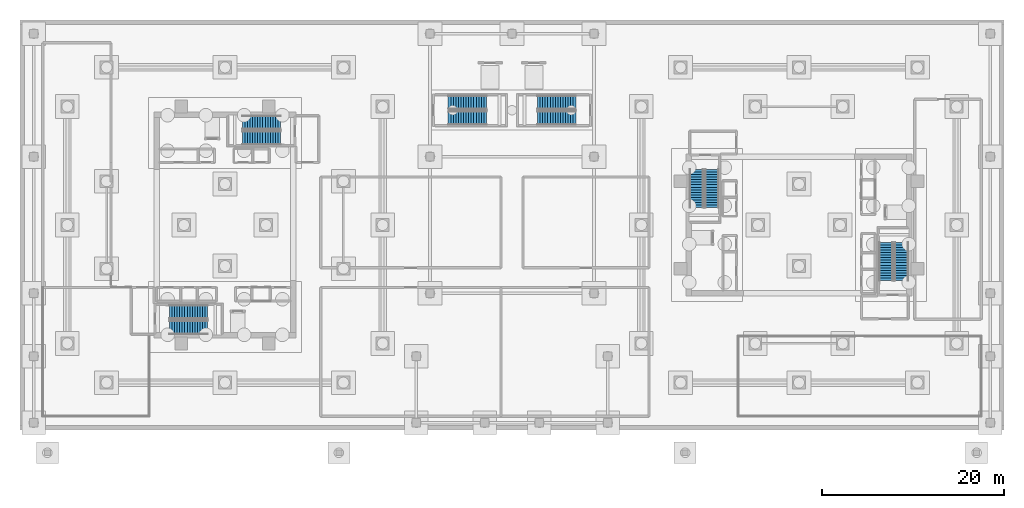
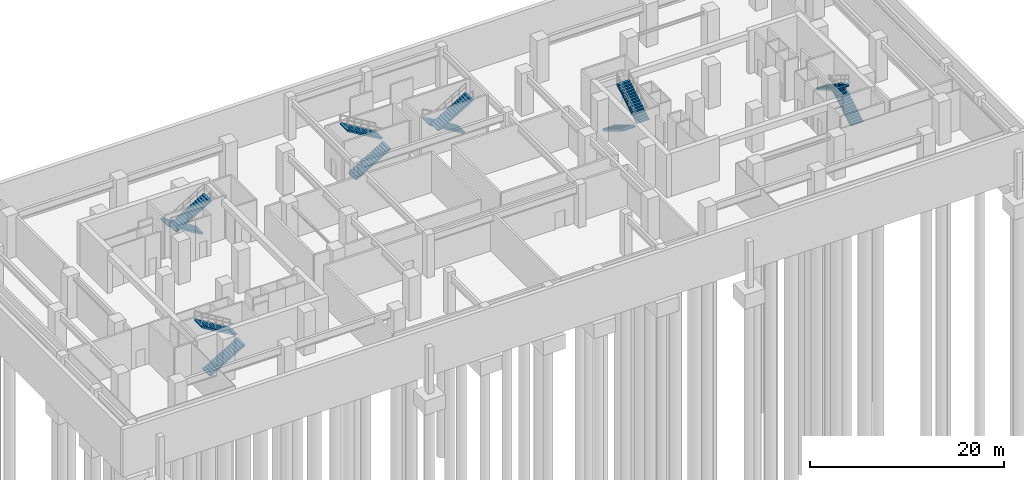
# One storey, part 11 of 14: 12 stair flights, 6 elements without a shape of their own.
"""IFC4 building model written with IfcOpenShell, lengths in metres."""

import ifcopenshell
import ifcopenshell.guid

model = None  # the IFC model being written
_history = None  # IfcOwnerHistory: only IFC2X3 demands one
_inside = {}  # id of a spatial element -> (the spatial element, [elements in it])
_under = {}  # id of a project, library or spatial element -> (it, [spatial elements below it])
_declared = {}  # id of a project -> (the project, [libraries it declares])
_typed = {}  # id of a type object -> (the type object, [elements of that type])
_made_of = {}  # id of a material, layer set ... -> (it, [elements and type objects made of it])


def new_model(schema):
    """Start an empty IFC model of exactly this schema.

    Asked for "IFC4X3", IfcOpenShell would pick the latest addendum, in which some entities
    have other attributes; the version numbers below select the first issue.
    IFC2X3 requires an IfcOwnerHistory on every rooted entity: one is made here for all.
    """
    global model, _history
    if schema == "IFC4X3":
        model = ifcopenshell.file(schema_version=(4, 3, 0, 0))
    else:
        model = ifcopenshell.file(schema=schema)
    _inside.clear()
    _under.clear()
    _declared.clear()
    _typed.clear()
    _made_of.clear()
    _history = None
    if model.schema == "IFC2X3":
        org = make("IfcOrganization", Name="unknown")
        user = make(
            "IfcPersonAndOrganization",
            ThePerson=make("IfcPerson", FamilyName="unknown"),
            TheOrganization=org,
        )
        app = make(
            "IfcApplication",
            ApplicationDeveloper=org,
            Version="unknown",
            ApplicationFullName="unknown",
            ApplicationIdentifier="unknown",
        )
        _history = make(
            "IfcOwnerHistory",
            OwningUser=user,
            OwningApplication=app,
            ChangeAction="ADDED",
            CreationDate=0,
        )
    return model


def make(cls, **values):
    """One entity of the class cls with the attributes given. An attribute that is None is left unset."""
    return model.create_entity(
        cls, **{name: value for name, value in values.items() if value is not None}
    )


def rooted(cls, **values):
    """An entity with a GlobalId (a new one), such as an element, a storey or a relation."""
    return make(cls, GlobalId=ifcopenshell.guid.new(), OwnerHistory=_history, **values)


def si_unit(unit_type, name, prefix=None):
    """IfcSIUnit, for example si_unit("LENGTHUNIT", "METRE", prefix="MILLI")."""
    return make("IfcSIUnit", UnitType=unit_type, Prefix=prefix, Name=name)


def assignment(units):
    """IfcUnitAssignment: the units of a project."""
    return None if units is None else make("IfcUnitAssignment", Units=units)


def point(xyz):
    """IfcCartesianPoint."""
    return None if xyz is None else make("IfcCartesianPoint", Coordinates=xyz)


def direction(xyz):
    """IfcDirection."""
    return None if xyz is None else make("IfcDirection", DirectionRatios=xyz)


def frame(location, z_axis=None, x_axis=None):
    """IfcAxis2Placement3D, a coordinate frame: its origin and axes. An axis left out is left unset."""
    return make(
        "IfcAxis2Placement3D",
        Location=point(location),
        Axis=direction(z_axis),
        RefDirection=direction(x_axis),
    )


def origin():
    """The frame at (0, 0, 0) with its axes left unset."""
    return frame((0.0, 0.0, 0.0))


def place(relative_to, where):
    """IfcLocalPlacement: puts the frame where relative to a parent placement (None: the world)."""
    return make(
        "IfcLocalPlacement", PlacementRelTo=relative_to, RelativePlacement=where
    )


def context(
    kind, dimensions, precision=None, world=None, true_north=None, identifier=None
):
    """IfcGeometricRepresentationContext, for example the 3D "Model" context."""
    return make(
        "IfcGeometricRepresentationContext",
        ContextIdentifier=identifier,
        ContextType=kind,
        CoordinateSpaceDimension=dimensions,
        Precision=precision,
        WorldCoordinateSystem=world,
        TrueNorth=true_north,
    )


def subcontext(parent, identifier, kind, view, scale=None):
    """IfcGeometricRepresentationSubContext, for example "Body" below "Model"."""
    return make(
        "IfcGeometricRepresentationSubContext",
        ContextIdentifier=identifier,
        ContextType=kind,
        ParentContext=parent,
        TargetScale=scale,
        TargetView=view,
    )


def project(units=None, contexts=None):
    """IfcProject with its units and contexts."""
    return rooted(
        "IfcProject",
        Name="project",
        RepresentationContexts=contexts,
        UnitsInContext=assignment(units),
    )


def spatial(cls, under=None, at=None, **own):
    """A site, building, storey or space (cls), placed at a placement, below another one or the project."""
    s = rooted(cls, ObjectPlacement=at, **own)
    if under is not None:
        _under.setdefault(under.id(), (under, []))[1].append(s)
    return s


def polyline(points):
    """IfcPolyline through the points."""
    return make("IfcPolyline", Points=[point(p) for p in points])


def outline(outer, holes=None, kind="AREA"):
    """IfcArbitraryClosedProfileDef: a profile drawn as a closed curve; with holes, ...WithVoids."""
    if holes is None:
        return make("IfcArbitraryClosedProfileDef", ProfileType=kind, OuterCurve=outer)
    return make(
        "IfcArbitraryProfileDefWithVoids",
        ProfileType=kind,
        OuterCurve=outer,
        InnerCurves=holes,
    )


def extrude(swept, where, along, depth):
    """IfcExtrudedAreaSolid: the profile swept, set in the frame where, extruded along a direction by depth."""
    return make(
        "IfcExtrudedAreaSolid",
        SweptArea=swept,
        Position=where,
        ExtrudedDirection=direction(along),
        Depth=depth,
    )


def shape(context_of_items, identifier, shape_type, items):
    """IfcShapeRepresentation: the items that make up one representation, for example the "Body"."""
    return make(
        "IfcShapeRepresentation",
        ContextOfItems=context_of_items,
        RepresentationIdentifier=identifier,
        RepresentationType=shape_type,
        Items=items,
    )


def material(Name=None, Category=None):
    """IfcMaterial."""
    return make("IfcMaterial", Name=Name, Category=Category)


def made_of(thing, what):
    """Note that an element or type object is made of a material, layer set ...; save() writes the relation."""
    if what is not None:
        _made_of.setdefault(what.id(), (what, []))[1].append(thing)
    return thing


def type_object(cls, material=None, **own):
    """A type object (cls), such as IfcWallType, which elements share."""
    return made_of(rooted(cls, **own), material)


def element(
    cls,
    number,
    at=None,
    inside=None,
    cuts=None,
    type_object=None,
    material=None,
    context=None,
    identifier="Body",
    shape_type=None,
    held_by="IfcProductDefinitionShape",
    body=None,
    shapes=None,
    **own,
):
    """One element of the class cls, such as IfcWall. Its Tag is "e" and its number.

    at: its placement. inside: the storey or other place that contains it. cuts: it is an
    opening in that element (IfcRelVoidsElement). A single representation is given by context,
    identifier, shape_type and body (its items); several are given by shapes. held_by: the class
    of the entity that holds the representations. save() writes the other relations.
    """
    e = rooted(cls, Tag="e%d" % number, ObjectPlacement=at, **own)
    if body is not None:
        shapes = [shape(context, identifier, shape_type, body)]
    if shapes is not None:
        e.Representation = make(held_by, Representations=shapes)
    if inside is not None:
        _inside.setdefault(inside.id(), (inside, []))[1].append(e)
    if cuts is not None:
        rooted(
            "IfcRelVoidsElement", RelatingBuildingElement=cuts, RelatedOpeningElement=e
        )
    if type_object is not None:
        _typed.setdefault(type_object.id(), (type_object, []))[1].append(e)
    return made_of(e, material)


def aggregate(whole, parts):
    """IfcRelAggregates: a whole, such as a stair, and the parts it consists of."""
    return rooted("IfcRelAggregates", RelatingObject=whole, RelatedObjects=parts)


def save(model, path):
    """Write the relations noted so far, then the file.

    IfcRelAggregates (storeys below a building ...), IfcRelContainedInSpatialStructure (elements
    in a storey), IfcRelDefinesByType, IfcRelAssociatesMaterial and IfcRelDeclares: one each for
    every whole, place, type object, material and project.
    """
    for whole, parts in _under.values():
        aggregate(whole, parts)
    for where, things in _inside.values():
        rooted(
            "IfcRelContainedInSpatialStructure",
            RelatedElements=things,
            RelatingStructure=where,
        )
    for kind, things in _typed.values():
        rooted("IfcRelDefinesByType", RelatedObjects=things, RelatingType=kind)
    for what, things in _made_of.values():
        rooted("IfcRelAssociatesMaterial", RelatedObjects=things, RelatingMaterial=what)
    for by, libraries in _declared.values():
        rooted("IfcRelDeclares", RelatingContext=by, RelatedDefinitions=libraries)
    model.write(path)


model = new_model("IFC4")

# Units and contexts
model_context = context("Model", 3, precision=1e-05, world=origin(), true_north=direction((0.0, 1.0)))
body_context = subcontext(model_context, "Body", "Model", "MODEL_VIEW")
ifc_project = project(units=[si_unit("LENGTHUNIT", "METRE"), si_unit("AREAUNIT", "SQUARE_METRE"), si_unit("VOLUMEUNIT", "CUBIC_METRE"), si_unit("PLANEANGLEUNIT", "RADIAN"), si_unit("MASSUNIT", "GRAM", prefix="KILO")], contexts=[model_context])

# Site, building, storey
site_placement = place(None, origin())
site = spatial("IfcSite", under=ifc_project, at=site_placement, CompositionType="ELEMENT")
building_placement = place(site_placement, origin())
building = spatial("IfcBuilding", under=site, at=building_placement, Name="Thornwick Lancets Civic Towers", CompositionType="ELEMENT")
storey_placement = place(building_placement, frame((0.0, 0.0, -5.39990234375)))
storey = spatial("IfcBuildingStorey", under=building, at=storey_placement, Name="B01", CompositionType="ELEMENT", Elevation=-5.39990234375)

# Stair, stair flights
ifc_material = material(Name="Concrete C40/50", Category="concrete")
stair_type = type_object("IfcStairType", Name="STAIR_DL_5400", PredefinedType="HALF_TURN_STAIR", material=ifc_material)
stair_1_placement = place(storey_placement, origin())
stair_1 = element("IfcStair", 1, at=stair_1_placement, inside=storey, type_object=stair_type, Name="B01 Tower A South Exit Stair ST-A1", PredefinedType="HALF_TURN_STAIR")
stair_flight_type = type_object("IfcStairFlightType", Name="FLIGHT_5400", PredefinedType="STRAIGHT", material=ifc_material)
stair_flight_1_placement = place(storey_placement, frame((19.39990234375, 15.75, 0.0), z_axis=(0.0, 0.0, 1.0), x_axis=(1.0, 0.0, 0.0)))
stair_flight_1 = element("IfcStairFlight", 2, at=stair_flight_1_placement, type_object=stair_flight_type, Name="ST-A1 flight 1", NumberOfRisers=16, NumberOfTreads=15, PredefinedType="STRAIGHT", RiserHeight=0.16875, TreadLength=0.28, context=body_context, shape_type="SweptSolid", body=[
    extrude(outline(polyline([(0.0, 0.0), (0.0, 0.168701171875), (0.280029296875, 0.168701171875), (0.280029296875, 0.33740234375), (0.56005859375, 0.33740234375), (0.56005859375, 0.50634765625), (0.840087890625, 0.50634765625), (0.840087890625, 0.675048828125), (1.1201171875, 0.675048828125), (1.1201171875, 0.84375), (1.39990234375, 0.84375), (1.39990234375, 1.012451171875), (1.679931640625, 1.012451171875), (1.679931640625, 1.18115234375), (1.9599609375, 1.18115234375), (1.9599609375, 1.35009765625), (2.239990234375, 1.35009765625), (2.239990234375, 1.518798828125), (2.52001953125, 1.518798828125), (2.52001953125, 1.6875), (2.800048828125, 1.6875), (2.800048828125, 1.856201171875), (3.080078125, 1.856201171875), (3.080078125, 2.02490234375), (3.360107421875, 2.02490234375), (3.360107421875, 2.19384765625), (3.639892578125, 2.19384765625), (3.639892578125, 2.362548828125), (3.919921875, 2.362548828125), (3.919921875, 2.53125), (4.199951171875, 2.53125), (4.199951171875, 2.699951171875), (4.199951171875, 2.356201171875), (0.29052734375, 0.0), (0.0, 0.0)])), frame((0.0, 0.75, 0.0), z_axis=(0.0, -1.0, 0.0), x_axis=(1.0, 0.0, 0.0)), (0.0, 0.0, 1.0), 1.5),
])
stair_flight_2_placement = place(storey_placement, frame((23.60009765625, 17.449951171875, 2.699951171875), z_axis=(0.0, 0.0, 1.0), x_axis=(-1.0, 0.0, 0.0)))
stair_flight_2 = element("IfcStairFlight", 3, at=stair_flight_2_placement, type_object=stair_flight_type, Name="ST-A1 flight 2", NumberOfRisers=16, NumberOfTreads=15, PredefinedType="STRAIGHT", RiserHeight=0.16875, TreadLength=0.28, context=body_context, shape_type="SweptSolid", body=[
    extrude(outline(polyline([(0.0, 0.0), (0.0, 0.168701171875), (0.280029296875, 0.168701171875), (0.280029296875, 0.33740234375), (0.56005859375, 0.33740234375), (0.56005859375, 0.50634765625), (0.840087890625, 0.50634765625), (0.840087890625, 0.675048828125), (1.1201171875, 0.675048828125), (1.1201171875, 0.84375), (1.39990234375, 0.84375), (1.39990234375, 1.012451171875), (1.679931640625, 1.012451171875), (1.679931640625, 1.18115234375), (1.9599609375, 1.18115234375), (1.9599609375, 1.35009765625), (2.239990234375, 1.35009765625), (2.239990234375, 1.518798828125), (2.52001953125, 1.518798828125), (2.52001953125, 1.6875), (2.800048828125, 1.6875), (2.800048828125, 1.856201171875), (3.080078125, 1.856201171875), (3.080078125, 2.02490234375), (3.360107421875, 2.02490234375), (3.360107421875, 2.19384765625), (3.639892578125, 2.19384765625), (3.639892578125, 2.362548828125), (3.919921875, 2.362548828125), (3.919921875, 2.53125), (4.199951171875, 2.53125), (4.199951171875, 2.699951171875), (4.199951171875, 2.356201171875), (0.29052734375, 0.0), (0.0, 0.0)])), frame((0.0, 0.75, 0.0), z_axis=(0.0, -1.0, 0.0), x_axis=(1.0, 0.0, 0.0)), (0.0, 0.0, 1.0), 1.5),
])
aggregate(stair_1, [stair_flight_1, stair_flight_2])

stair_2_placement = place(storey_placement, origin())
stair_2 = element("IfcStair", 4, at=stair_2_placement, inside=storey, type_object=stair_type, Name="B01 Tower A North Exit Stair ST-A2", PredefinedType="HALF_TURN_STAIR")
stair_flight_3_placement = place(storey_placement, frame((31.60009765625, 38.25, 0.0), z_axis=(0.0, 0.0, 1.0), x_axis=(-1.0, 0.0, 0.0)))
stair_flight_3 = element("IfcStairFlight", 5, at=stair_flight_3_placement, type_object=stair_flight_type, Name="ST-A2 flight 1", NumberOfRisers=16, NumberOfTreads=15, PredefinedType="STRAIGHT", RiserHeight=0.16875, TreadLength=0.28, context=body_context, shape_type="SweptSolid", body=[
    extrude(outline(polyline([(0.0, 0.0), (0.0, 0.168701171875), (0.280029296875, 0.168701171875), (0.280029296875, 0.33740234375), (0.56005859375, 0.33740234375), (0.56005859375, 0.50634765625), (0.840087890625, 0.50634765625), (0.840087890625, 0.675048828125), (1.1201171875, 0.675048828125), (1.1201171875, 0.84375), (1.39990234375, 0.84375), (1.39990234375, 1.012451171875), (1.679931640625, 1.012451171875), (1.679931640625, 1.18115234375), (1.9599609375, 1.18115234375), (1.9599609375, 1.35009765625), (2.239990234375, 1.35009765625), (2.239990234375, 1.518798828125), (2.52001953125, 1.518798828125), (2.52001953125, 1.6875), (2.800048828125, 1.6875), (2.800048828125, 1.856201171875), (3.080078125, 1.856201171875), (3.080078125, 2.02490234375), (3.360107421875, 2.02490234375), (3.360107421875, 2.19384765625), (3.639892578125, 2.19384765625), (3.639892578125, 2.362548828125), (3.919921875, 2.362548828125), (3.919921875, 2.53125), (4.199951171875, 2.53125), (4.199951171875, 2.699951171875), (4.199951171875, 2.356201171875), (0.29052734375, 0.0), (0.0, 0.0)])), frame((0.0, 0.75, 0.0), z_axis=(0.0, -1.0, 0.0), x_axis=(1.0, 0.0, 0.0)), (0.0, 0.0, 1.0), 1.5),
])
stair_flight_4_placement = place(storey_placement, frame((27.39990234375, 36.550048828125, 2.699951171875), z_axis=(0.0, 0.0, 1.0), x_axis=(1.0, 0.0, 0.0)))
stair_flight_4 = element("IfcStairFlight", 6, at=stair_flight_4_placement, type_object=stair_flight_type, Name="ST-A2 flight 2", NumberOfRisers=16, NumberOfTreads=15, PredefinedType="STRAIGHT", RiserHeight=0.16875, TreadLength=0.28, context=body_context, shape_type="SweptSolid", body=[
    extrude(outline(polyline([(0.0, 0.0), (0.0, 0.168701171875), (0.280029296875, 0.168701171875), (0.280029296875, 0.33740234375), (0.56005859375, 0.33740234375), (0.56005859375, 0.50634765625), (0.840087890625, 0.50634765625), (0.840087890625, 0.675048828125), (1.1201171875, 0.675048828125), (1.1201171875, 0.84375), (1.39990234375, 0.84375), (1.39990234375, 1.012451171875), (1.679931640625, 1.012451171875), (1.679931640625, 1.18115234375), (1.9599609375, 1.18115234375), (1.9599609375, 1.35009765625), (2.239990234375, 1.35009765625), (2.239990234375, 1.518798828125), (2.52001953125, 1.518798828125), (2.52001953125, 1.6875), (2.800048828125, 1.6875), (2.800048828125, 1.856201171875), (3.080078125, 1.856201171875), (3.080078125, 2.02490234375), (3.360107421875, 2.02490234375), (3.360107421875, 2.19384765625), (3.639892578125, 2.19384765625), (3.639892578125, 2.362548828125), (3.919921875, 2.362548828125), (3.919921875, 2.53125), (4.199951171875, 2.53125), (4.199951171875, 2.699951171875), (4.199951171875, 2.356201171875), (0.29052734375, 0.0), (0.0, 0.0)])), frame((0.0, 0.75, 0.0), z_axis=(0.0, -1.0, 0.0), x_axis=(1.0, 0.0, 0.0)), (0.0, 0.0, 1.0), 1.5),
])
aggregate(stair_2, [stair_flight_3, stair_flight_4])

stair_3_placement = place(storey_placement, origin())
stair_3 = element("IfcStair", 7, at=stair_3_placement, inside=storey, type_object=stair_type, Name="B01 Tower B East Exit Stair ST-B1", PredefinedType="HALF_TURN_STAIR")
stair_flight_5_placement = place(storey_placement, frame((99.75, 20.89990234375, 0.0), z_axis=(0.0, 0.0, 1.0), x_axis=(0.0, 1.0, 0.0)))
stair_flight_5 = element("IfcStairFlight", 8, at=stair_flight_5_placement, type_object=stair_flight_type, Name="ST-B1 flight 1", NumberOfRisers=16, NumberOfTreads=15, PredefinedType="STRAIGHT", RiserHeight=0.16875, TreadLength=0.28, context=body_context, shape_type="SweptSolid", body=[
    extrude(outline(polyline([(0.0, 0.0), (0.0, 0.168701171875), (0.280029296875, 0.168701171875), (0.280029296875, 0.33740234375), (0.56005859375, 0.33740234375), (0.56005859375, 0.50634765625), (0.840087890625, 0.50634765625), (0.840087890625, 0.675048828125), (1.1201171875, 0.675048828125), (1.1201171875, 0.84375), (1.39990234375, 0.84375), (1.39990234375, 1.012451171875), (1.679931640625, 1.012451171875), (1.679931640625, 1.18115234375), (1.9599609375, 1.18115234375), (1.9599609375, 1.35009765625), (2.239990234375, 1.35009765625), (2.239990234375, 1.518798828125), (2.52001953125, 1.518798828125), (2.52001953125, 1.6875), (2.800048828125, 1.6875), (2.800048828125, 1.856201171875), (3.080078125, 1.856201171875), (3.080078125, 2.02490234375), (3.360107421875, 2.02490234375), (3.360107421875, 2.19384765625), (3.639892578125, 2.19384765625), (3.639892578125, 2.362548828125), (3.919921875, 2.362548828125), (3.919921875, 2.53125), (4.199951171875, 2.53125), (4.199951171875, 2.699951171875), (4.199951171875, 2.356201171875), (0.29052734375, 0.0), (0.0, 0.0)])), frame((0.0, 0.75, 0.0), z_axis=(0.0, -1.0, 0.0), x_axis=(1.0, 0.0, 0.0)), (0.0, 0.0, 1.0), 1.5),
])
stair_flight_6_placement = place(storey_placement, frame((98.050048828125, 25.10009765625, 2.699951171875), z_axis=(0.0, 0.0, 1.0), x_axis=(0.0, -1.0, 0.0)))
stair_flight_6 = element("IfcStairFlight", 9, at=stair_flight_6_placement, type_object=stair_flight_type, Name="ST-B1 flight 2", NumberOfRisers=16, NumberOfTreads=15, PredefinedType="STRAIGHT", RiserHeight=0.16875, TreadLength=0.28, context=body_context, shape_type="SweptSolid", body=[
    extrude(outline(polyline([(0.0, 0.0), (0.0, 0.168701171875), (0.280029296875, 0.168701171875), (0.280029296875, 0.33740234375), (0.56005859375, 0.33740234375), (0.56005859375, 0.50634765625), (0.840087890625, 0.50634765625), (0.840087890625, 0.675048828125), (1.1201171875, 0.675048828125), (1.1201171875, 0.84375), (1.39990234375, 0.84375), (1.39990234375, 1.012451171875), (1.679931640625, 1.012451171875), (1.679931640625, 1.18115234375), (1.9599609375, 1.18115234375), (1.9599609375, 1.35009765625), (2.239990234375, 1.35009765625), (2.239990234375, 1.518798828125), (2.52001953125, 1.518798828125), (2.52001953125, 1.6875), (2.800048828125, 1.6875), (2.800048828125, 1.856201171875), (3.080078125, 1.856201171875), (3.080078125, 2.02490234375), (3.360107421875, 2.02490234375), (3.360107421875, 2.19384765625), (3.639892578125, 2.19384765625), (3.639892578125, 2.362548828125), (3.919921875, 2.362548828125), (3.919921875, 2.53125), (4.199951171875, 2.53125), (4.199951171875, 2.699951171875), (4.199951171875, 2.356201171875), (0.29052734375, 0.0), (0.0, 0.0)])), frame((0.0, 0.75, 0.0), z_axis=(0.0, -1.0, 0.0), x_axis=(1.0, 0.0, 0.0)), (0.0, 0.0, 1.0), 1.5),
])
aggregate(stair_3, [stair_flight_5, stair_flight_6])

stair_4_placement = place(storey_placement, origin())
stair_4 = element("IfcStair", 10, at=stair_4_placement, inside=storey, type_object=stair_type, Name="B01 Tower B West Exit Stair ST-B2", PredefinedType="HALF_TURN_STAIR")
stair_flight_7_placement = place(storey_placement, frame((77.25, 33.10009765625, 0.0), z_axis=(0.0, 0.0, 1.0), x_axis=(0.0, -1.0, 0.0)))
stair_flight_7 = element("IfcStairFlight", 11, at=stair_flight_7_placement, type_object=stair_flight_type, Name="ST-B2 flight 1", NumberOfRisers=16, NumberOfTreads=15, PredefinedType="STRAIGHT", RiserHeight=0.16875, TreadLength=0.28, context=body_context, shape_type="SweptSolid", body=[
    extrude(outline(polyline([(0.0, 0.0), (0.0, 0.168701171875), (0.280029296875, 0.168701171875), (0.280029296875, 0.33740234375), (0.56005859375, 0.33740234375), (0.56005859375, 0.50634765625), (0.840087890625, 0.50634765625), (0.840087890625, 0.675048828125), (1.1201171875, 0.675048828125), (1.1201171875, 0.84375), (1.39990234375, 0.84375), (1.39990234375, 1.012451171875), (1.679931640625, 1.012451171875), (1.679931640625, 1.18115234375), (1.9599609375, 1.18115234375), (1.9599609375, 1.35009765625), (2.239990234375, 1.35009765625), (2.239990234375, 1.518798828125), (2.52001953125, 1.518798828125), (2.52001953125, 1.6875), (2.800048828125, 1.6875), (2.800048828125, 1.856201171875), (3.080078125, 1.856201171875), (3.080078125, 2.02490234375), (3.360107421875, 2.02490234375), (3.360107421875, 2.19384765625), (3.639892578125, 2.19384765625), (3.639892578125, 2.362548828125), (3.919921875, 2.362548828125), (3.919921875, 2.53125), (4.199951171875, 2.53125), (4.199951171875, 2.699951171875), (4.199951171875, 2.356201171875), (0.29052734375, 0.0), (0.0, 0.0)])), frame((0.0, 0.75, 0.0), z_axis=(0.0, -1.0, 0.0), x_axis=(1.0, 0.0, 0.0)), (0.0, 0.0, 1.0), 1.5),
])
stair_flight_8_placement = place(storey_placement, frame((78.949951171875, 28.89990234375, 2.699951171875), z_axis=(0.0, 0.0, 1.0), x_axis=(0.0, 1.0, 0.0)))
stair_flight_8 = element("IfcStairFlight", 12, at=stair_flight_8_placement, type_object=stair_flight_type, Name="ST-B2 flight 2", NumberOfRisers=16, NumberOfTreads=15, PredefinedType="STRAIGHT", RiserHeight=0.16875, TreadLength=0.28, context=body_context, shape_type="SweptSolid", body=[
    extrude(outline(polyline([(0.0, 0.0), (0.0, 0.168701171875), (0.280029296875, 0.168701171875), (0.280029296875, 0.33740234375), (0.56005859375, 0.33740234375), (0.56005859375, 0.50634765625), (0.840087890625, 0.50634765625), (0.840087890625, 0.675048828125), (1.1201171875, 0.675048828125), (1.1201171875, 0.84375), (1.39990234375, 0.84375), (1.39990234375, 1.012451171875), (1.679931640625, 1.012451171875), (1.679931640625, 1.18115234375), (1.9599609375, 1.18115234375), (1.9599609375, 1.35009765625), (2.239990234375, 1.35009765625), (2.239990234375, 1.518798828125), (2.52001953125, 1.518798828125), (2.52001953125, 1.6875), (2.800048828125, 1.6875), (2.800048828125, 1.856201171875), (3.080078125, 1.856201171875), (3.080078125, 2.02490234375), (3.360107421875, 2.02490234375), (3.360107421875, 2.19384765625), (3.639892578125, 2.19384765625), (3.639892578125, 2.362548828125), (3.919921875, 2.362548828125), (3.919921875, 2.53125), (4.199951171875, 2.53125), (4.199951171875, 2.699951171875), (4.199951171875, 2.356201171875), (0.29052734375, 0.0), (0.0, 0.0)])), frame((0.0, 0.75, 0.0), z_axis=(0.0, -1.0, 0.0), x_axis=(1.0, 0.0, 0.0)), (0.0, 0.0, 1.0), 1.5),
])
aggregate(stair_4, [stair_flight_7, stair_flight_8])

stair_5_placement = place(storey_placement, origin())
stair_5 = element("IfcStair", 13, at=stair_5_placement, inside=storey, type_object=stair_type, Name="B01 Podium Central West Exit Stair ST-P5", PredefinedType="HALF_TURN_STAIR")
stair_flight_9_placement = place(storey_placement, frame((50.0, 38.75, 0.0), z_axis=(0.0, 0.0, 1.0), x_axis=(1.0, 0.0, 0.0)))
stair_flight_9 = element("IfcStairFlight", 14, at=stair_flight_9_placement, type_object=stair_flight_type, Name="ST-P5 flight 1", NumberOfRisers=16, NumberOfTreads=15, PredefinedType="STRAIGHT", RiserHeight=0.16875, TreadLength=0.28, context=body_context, shape_type="SweptSolid", body=[
    extrude(outline(polyline([(0.0, 0.0), (0.0, 0.168701171875), (0.280029296875, 0.168701171875), (0.280029296875, 0.33740234375), (0.56005859375, 0.33740234375), (0.56005859375, 0.50634765625), (0.840087890625, 0.50634765625), (0.840087890625, 0.675048828125), (1.1201171875, 0.675048828125), (1.1201171875, 0.84375), (1.39990234375, 0.84375), (1.39990234375, 1.012451171875), (1.679931640625, 1.012451171875), (1.679931640625, 1.18115234375), (1.9599609375, 1.18115234375), (1.9599609375, 1.35009765625), (2.239990234375, 1.35009765625), (2.239990234375, 1.518798828125), (2.52001953125, 1.518798828125), (2.52001953125, 1.6875), (2.800048828125, 1.6875), (2.800048828125, 1.856201171875), (3.080078125, 1.856201171875), (3.080078125, 2.02490234375), (3.360107421875, 2.02490234375), (3.360107421875, 2.19384765625), (3.639892578125, 2.19384765625), (3.639892578125, 2.362548828125), (3.919921875, 2.362548828125), (3.919921875, 2.53125), (4.199951171875, 2.53125), (4.199951171875, 2.699951171875), (4.199951171875, 2.356201171875), (0.29052734375, 0.0), (0.0, 0.0)])), frame((0.0, 0.75, 0.0), z_axis=(0.0, -1.0, 0.0), x_axis=(1.0, 0.0, 0.0)), (0.0, 0.0, 1.0), 1.5),
])
stair_flight_10_placement = place(storey_placement, frame((54.199951171875, 40.449951171875, 2.699951171875), z_axis=(0.0, 0.0, 1.0), x_axis=(-1.0, 0.0, 0.0)))
stair_flight_10 = element("IfcStairFlight", 15, at=stair_flight_10_placement, type_object=stair_flight_type, Name="ST-P5 flight 2", NumberOfRisers=16, NumberOfTreads=15, PredefinedType="STRAIGHT", RiserHeight=0.16875, TreadLength=0.28, context=body_context, shape_type="SweptSolid", body=[
    extrude(outline(polyline([(0.0, 0.0), (0.0, 0.168701171875), (0.280029296875, 0.168701171875), (0.280029296875, 0.33740234375), (0.56005859375, 0.33740234375), (0.56005859375, 0.50634765625), (0.840087890625, 0.50634765625), (0.840087890625, 0.675048828125), (1.1201171875, 0.675048828125), (1.1201171875, 0.84375), (1.39990234375, 0.84375), (1.39990234375, 1.012451171875), (1.679931640625, 1.012451171875), (1.679931640625, 1.18115234375), (1.9599609375, 1.18115234375), (1.9599609375, 1.35009765625), (2.239990234375, 1.35009765625), (2.239990234375, 1.518798828125), (2.52001953125, 1.518798828125), (2.52001953125, 1.6875), (2.800048828125, 1.6875), (2.800048828125, 1.856201171875), (3.080078125, 1.856201171875), (3.080078125, 2.02490234375), (3.360107421875, 2.02490234375), (3.360107421875, 2.19384765625), (3.639892578125, 2.19384765625), (3.639892578125, 2.362548828125), (3.919921875, 2.362548828125), (3.919921875, 2.53125), (4.199951171875, 2.53125), (4.199951171875, 2.699951171875), (4.199951171875, 2.356201171875), (0.29052734375, 0.0), (0.0, 0.0)])), frame((0.0, 0.75, 0.0), z_axis=(0.0, -1.0, 0.0), x_axis=(1.0, 0.0, 0.0)), (0.0, 0.0, 1.0), 1.5),
])
aggregate(stair_5, [stair_flight_9, stair_flight_10])

stair_6_placement = place(storey_placement, origin())
stair_6 = element("IfcStair", 16, at=stair_6_placement, inside=storey, type_object=stair_type, Name="B01 Podium Central East Exit Stair ST-P6", PredefinedType="HALF_TURN_STAIR")
stair_flight_11_placement = place(storey_placement, frame((64.0, 40.449951171875, 0.0), z_axis=(0.0, 0.0, 1.0), x_axis=(-1.0, 0.0, 0.0)))
stair_flight_11 = element("IfcStairFlight", 17, at=stair_flight_11_placement, type_object=stair_flight_type, Name="ST-P6 flight 1", NumberOfRisers=16, NumberOfTreads=15, PredefinedType="STRAIGHT", RiserHeight=0.16875, TreadLength=0.28, context=body_context, shape_type="SweptSolid", body=[
    extrude(outline(polyline([(0.0, 0.0), (0.0, 0.168701171875), (0.280029296875, 0.168701171875), (0.280029296875, 0.33740234375), (0.56005859375, 0.33740234375), (0.56005859375, 0.50634765625), (0.840087890625, 0.50634765625), (0.840087890625, 0.675048828125), (1.1201171875, 0.675048828125), (1.1201171875, 0.84375), (1.39990234375, 0.84375), (1.39990234375, 1.012451171875), (1.679931640625, 1.012451171875), (1.679931640625, 1.18115234375), (1.9599609375, 1.18115234375), (1.9599609375, 1.35009765625), (2.239990234375, 1.35009765625), (2.239990234375, 1.518798828125), (2.52001953125, 1.518798828125), (2.52001953125, 1.6875), (2.800048828125, 1.6875), (2.800048828125, 1.856201171875), (3.080078125, 1.856201171875), (3.080078125, 2.02490234375), (3.360107421875, 2.02490234375), (3.360107421875, 2.19384765625), (3.639892578125, 2.19384765625), (3.639892578125, 2.362548828125), (3.919921875, 2.362548828125), (3.919921875, 2.53125), (4.199951171875, 2.53125), (4.199951171875, 2.699951171875), (4.199951171875, 2.356201171875), (0.29052734375, 0.0), (0.0, 0.0)])), frame((0.0, 0.75, 0.0), z_axis=(0.0, -1.0, 0.0), x_axis=(1.0, 0.0, 0.0)), (0.0, 0.0, 1.0), 1.5),
])
stair_flight_12_placement = place(storey_placement, frame((59.800048828125, 38.75, 2.699951171875), z_axis=(0.0, 0.0, 1.0), x_axis=(1.0, 0.0, 0.0)))
stair_flight_12 = element("IfcStairFlight", 18, at=stair_flight_12_placement, type_object=stair_flight_type, Name="ST-P6 flight 2", NumberOfRisers=16, NumberOfTreads=15, PredefinedType="STRAIGHT", RiserHeight=0.16875, TreadLength=0.28, context=body_context, shape_type="SweptSolid", body=[
    extrude(outline(polyline([(0.0, 0.0), (0.0, 0.168701171875), (0.280029296875, 0.168701171875), (0.280029296875, 0.33740234375), (0.56005859375, 0.33740234375), (0.56005859375, 0.50634765625), (0.840087890625, 0.50634765625), (0.840087890625, 0.675048828125), (1.1201171875, 0.675048828125), (1.1201171875, 0.84375), (1.39990234375, 0.84375), (1.39990234375, 1.012451171875), (1.679931640625, 1.012451171875), (1.679931640625, 1.18115234375), (1.9599609375, 1.18115234375), (1.9599609375, 1.35009765625), (2.239990234375, 1.35009765625), (2.239990234375, 1.518798828125), (2.52001953125, 1.518798828125), (2.52001953125, 1.6875), (2.800048828125, 1.6875), (2.800048828125, 1.856201171875), (3.080078125, 1.856201171875), (3.080078125, 2.02490234375), (3.360107421875, 2.02490234375), (3.360107421875, 2.19384765625), (3.639892578125, 2.19384765625), (3.639892578125, 2.362548828125), (3.919921875, 2.362548828125), (3.919921875, 2.53125), (4.199951171875, 2.53125), (4.199951171875, 2.699951171875), (4.199951171875, 2.356201171875), (0.29052734375, 0.0), (0.0, 0.0)])), frame((0.0, 0.75, 0.0), z_axis=(0.0, -1.0, 0.0), x_axis=(1.0, 0.0, 0.0)), (0.0, 0.0, 1.0), 1.5),
])
aggregate(stair_6, [stair_flight_11, stair_flight_12])

save(model, "model.ifc")
